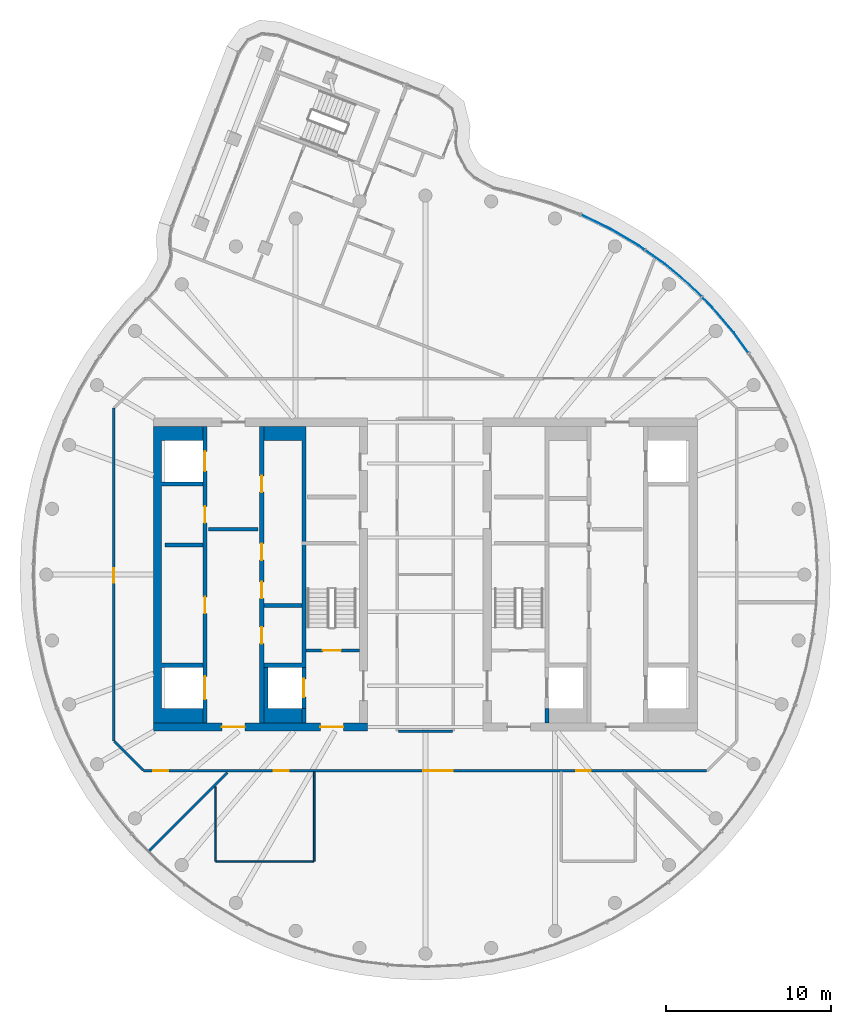
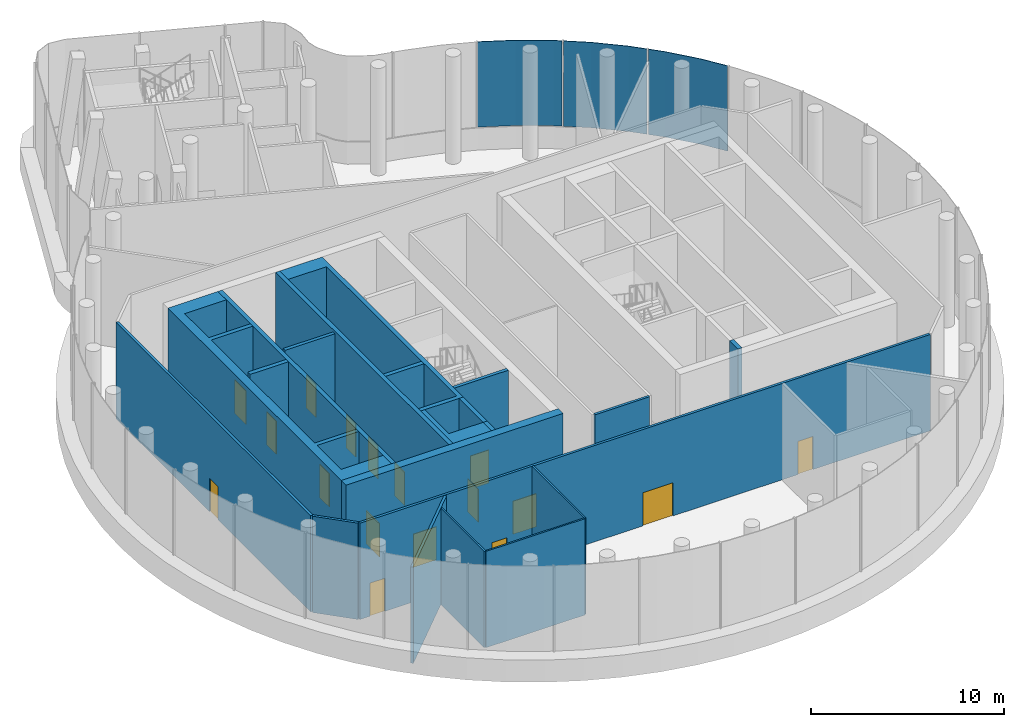
# One storey, part 8 of 12: 21 walls, 17 doors, 3 plates, 17 openings, 1 element without a shape of its own.
"""IFC4 building model written with IfcOpenShell, lengths in metres."""

from ifc_helpers import new_model, si_unit, direction, frame, frame_2d, origin, place, context, subcontext, project, spatial, polyline, rectangle, outline, extrude, material, layer, layer_set, type_object, element, fill, aggregate, save


model = new_model("IFC4")

# Units and contexts
model_context = context("Model", 3, precision=1e-05, world=origin(), true_north=direction((0.0, 1.0)))
body_context = subcontext(model_context, "Body", "Model", "MODEL_VIEW")
ifc_project = project(units=[si_unit("LENGTHUNIT", "METRE"), si_unit("AREAUNIT", "SQUARE_METRE"), si_unit("VOLUMEUNIT", "CUBIC_METRE"), si_unit("PLANEANGLEUNIT", "RADIAN"), si_unit("MASSUNIT", "GRAM", prefix="KILO")], contexts=[model_context])

# Site, building, storey
site_placement = place(None, origin())
site = spatial("IfcSite", under=ifc_project, at=site_placement, CompositionType="ELEMENT")
building_placement = place(site_placement, origin())
building = spatial("IfcBuilding", under=site, at=building_placement, Name="Tamarind Cross Interchange Tower", CompositionType="ELEMENT")
storey_placement = place(building_placement, frame((0.0, 0.0, 287.39990234375)))
storey = spatial("IfcBuildingStorey", under=building, at=storey_placement, Name="L72", CompositionType="ELEMENT", Elevation=287.39990234375)

# Curtain wall, plates
ifc_material_1 = material(Name="Aluminium 6063-T6", Category="aluminium")
ifc_layer_1 = layer(ifc_material_1, 0.219970703125)
ifc_layer_set_1 = layer_set([ifc_layer_1], Name="Aluminium 6063-T6")
curtain_wall_type = type_object("IfcCurtainWallType", Name="Observation deck curtain wall", PredefinedType="NOTDEFINED", material=ifc_layer_set_1)
curtain_wall_placement = place(storey_placement, origin())
curtain_wall = element("IfcCurtainWall", 1, at=curtain_wall_placement, inside=storey, type_object=curtain_wall_type, Name="CWS-L72-02", PredefinedType="NOTDEFINED")
ifc_material_2 = material(Name="Laminated low-e glass 10+1.52+10", Category="glass")
ifc_layer_2 = layer(ifc_material_2, 0.0400390625)
ifc_layer_set_2 = layer_set([ifc_layer_2], Name="Laminated low-e glass 10+1.52+10")
plate_type = type_object("IfcPlateType", Name="Vision panel CW5", PredefinedType="CURTAIN_PANEL", material=ifc_layer_set_2)
plate_1_placement = place(storey_placement, frame((0.0, 0.0, 1.400146484375)))
plate_1 = element("IfcPlate", 2, at=plate_1_placement, type_object=plate_type, Name="CWP-L72-02-25", PredefinedType="CURTAIN_PANEL", context=body_context, shape_type="SweptSolid", body=[
    extrude(outline(polyline([(19.588623046875, 13.449951171875), (18.699462890625, 14.68408203125), (17.4228515625, 16.177978515625), (16.785400390625, 16.81005859375), (16.8134765625, 16.83837890625), (17.452392578125, 16.205322265625), (18.73095703125, 14.708740234375), (19.62109375, 13.473388671875), (19.588623046875, 13.449951171875)])), origin(), (0.0, 0.0, 1.0), 5.39990234375),
])
plate_2_placement = place(storey_placement, frame((0.0, 0.0, 1.400146484375)))
plate_2 = element("IfcPlate", 3, at=plate_2_placement, type_object=plate_type, Name="CWP-L72-02-26", PredefinedType="CURTAIN_PANEL", context=body_context, shape_type="SweptSolid", body=[
    extrude(outline(polyline([(16.728515625, 16.866455078125), (16.02734375, 17.5615234375), (14.5224609375, 18.8251953125), (13.353759765625, 19.65185546875), (13.376953125, 19.6845703125), (14.546875, 18.856689453125), (16.054443359375, 17.591064453125), (16.7568359375, 16.894775390625), (16.728515625, 16.866455078125)])), origin(), (0.0, 0.0, 1.0), 5.39990234375),
])
plate_3_placement = place(storey_placement, frame((0.0, 0.0, 1.400146484375)))
plate_3 = element("IfcPlate", 4, at=plate_3_placement, type_object=plate_type, Name="CWP-L72-02-27", PredefinedType="CURTAIN_PANEL", context=body_context, shape_type="SweptSolid", body=[
    extrude(outline(polyline([(13.28857421875, 19.697998046875), (12.918212890625, 19.9599609375), (11.225830078125, 20.958740234375), (9.45703125, 21.81396484375), (9.474609375, 21.849853515625), (11.244873046875, 20.993896484375), (12.940185546875, 19.99365234375), (13.311767578125, 19.730712890625), (13.28857421875, 19.697998046875)])), origin(), (0.0, 0.0, 1.0), 5.39990234375),
])
aggregate(curtain_wall, [plate_1, plate_2, plate_3])

# Wall, openings, doors
ifc_material_3 = material(Name="Concrete C50", Category="concrete")
ifc_layer_3 = layer(ifc_material_3, 0.5)
ifc_layer_set_3 = layer_set([ifc_layer_3], Name="Concrete C50")
wall_type_1 = type_object("IfcWallType", Name="Core wall 500 mm Concrete C50", PredefinedType="SHEAR", material=ifc_layer_set_3)
wall_1_placement = place(storey_placement, frame((-16.5, -9.25, 0.0), z_axis=(0.0, 0.0, 1.0), x_axis=(1.0, 0.0, 0.0)))
wall_1 = element("IfcWall", 5, at=wall_1_placement, inside=storey, type_object=wall_type_1, Name="Core wall CWL-L72-W-S", PredefinedType="SHEAR", context=body_context, shape_type="SweptSolid", body=[
    extrude(rectangle(XDim=13.0, YDim=0.5, at=frame_2d((6.5, 0.0))), origin(), (0.0, 0.0, 1.0), 6.800048828125),
])
opening_1_placement = place(wall_1_placement, frame((4.14990234375, 0.0, 0.0)))
opening_1 = element("IfcOpeningElement", 6, at=opening_1_placement, cuts=wall_1, Name="Opening DCW1", PredefinedType="OPENING", context=body_context, shape_type="SweptSolid", body=[
    extrude(rectangle(XDim=1.39990234375, YDim=2.10009765625, at=frame_2d((0.699951171875, 1.050048828125))), frame((0.0, 0.260009765625, 0.0), z_axis=(0.0, -1.0, 0.0), x_axis=(1.0, 0.0, 0.0)), (0.0, 0.0, 1.0), 0.52001953125),
])
opening_2_placement = place(wall_1_placement, frame((10.125, 0.0, 0.0)))
opening_2 = element("IfcOpeningElement", 7, at=opening_2_placement, cuts=wall_1, Name="Opening DCWF", PredefinedType="OPENING", context=body_context, shape_type="SweptSolid", body=[
    extrude(rectangle(XDim=1.39990234375, YDim=2.10009765625, at=frame_2d((0.699951171875, 1.050048828125))), frame((0.0, 0.260009765625, 0.0), z_axis=(0.0, -1.0, 0.0), x_axis=(1.0, 0.0, 0.0)), (0.0, 0.0, 1.0), 0.52001953125),
])
ifc_material_4 = material(Name="Steel, fire-resisting", Category="steel")
door_type_1 = type_object("IfcDoorType", Name="Core fire door 1400 x 2100 FD90", OperationType="SINGLE_SWING_LEFT", PredefinedType="DOOR", material=ifc_material_4)
door_1_placement = place(opening_1_placement, origin())
door_1 = element("IfcDoor", 8, at=door_1_placement, inside=storey, type_object=door_type_1, Name="L72 lift lobby door", OperationType="SINGLE_SWING_LEFT", OverallHeight=2.10009765625, OverallWidth=1.39990234375, PredefinedType="DOOR", context=body_context, shape_type="SweptSolid", body=[
    extrude(rectangle(XDim=1.39990234375, YDim=2.10009765625, at=frame_2d((0.699951171875, 1.050048828125))), frame((0.0, 0.02490234375, 0.0), z_axis=(0.0, -1.0, 0.0), x_axis=(1.0, 0.0, 0.0)), (0.0, 0.0, 1.0), 0.050048828125),
])
fill(opening_1, door_1)
door_2_placement = place(opening_2_placement, origin())
door_2 = element("IfcDoor", 9, at=door_2_placement, inside=storey, type_object=door_type_1, Name="L72 firefighting lobby end door", OperationType="SINGLE_SWING_LEFT", OverallHeight=2.10009765625, OverallWidth=1.39990234375, PredefinedType="DOOR", context=body_context, shape_type="SweptSolid", body=[
    extrude(rectangle(XDim=1.39990234375, YDim=2.10009765625, at=frame_2d((0.699951171875, 1.050048828125))), frame((0.0, 0.02490234375, 0.0), z_axis=(0.0, -1.0, 0.0), x_axis=(1.0, 0.0, 0.0)), (0.0, 0.0, 1.0), 0.050048828125),
])
fill(opening_2, door_2)

# Walls
wall_2_placement = place(storey_placement, origin())
element("IfcWall", 10, at=wall_2_placement, inside=storey, type_object=wall_type_1, Name="Core wall CWL-L72-W-A", PredefinedType="SHEAR", context=body_context, shape_type="SweptSolid", body=[
    extrude(outline(polyline([(-13.5, -8.125), (-16.0, -8.125), (-16.0, -5.625), (-13.5, -5.625), (-13.5, -5.375), (-16.0, -5.375), (-16.0, 5.375), (-13.5, 5.375), (-13.5, 5.625), (-16.0, 5.625), (-16.0, 8.125), (-13.5, 8.125), (-13.5, 9.0), (-16.0, 9.0), (-16.5, 9.0), (-16.5, -9.0), (-16.0, -9.0), (-13.5, -9.0), (-13.5, -8.125)])), origin(), (0.0, 0.0, 1.0), 6.800048828125),
])
ifc_layer_4 = layer(ifc_material_3, 0.25)
ifc_layer_set_4 = layer_set([ifc_layer_4], Name="Concrete C50")
wall_type_2 = type_object("IfcWallType", Name="Core web wall 250 mm Concrete C50", PredefinedType="SHEAR", material=ifc_layer_set_4)
wall_3_placement = place(storey_placement, origin())
element("IfcWall", 11, at=wall_3_placement, inside=storey, type_object=wall_type_2, Name="Core wall CWL-L72-W-BN", PredefinedType="SHEAR", context=body_context, shape_type="SweptSolid", body=[
    extrude(outline(polyline([(-9.800048828125, -5.625), (-7.5, -5.625), (-7.25, -5.625), (-7.25, 9.0), (-7.5, 9.0), (-9.800048828125, 9.0), (-9.800048828125, 8.125), (-7.5, 8.125), (-7.5, -5.375), (-9.800048828125, -5.375), (-9.800048828125, -5.625)])), origin(), (0.0, 0.0, 1.0), 6.800048828125),
])
wall_4_placement = place(storey_placement, origin())
element("IfcWall", 12, at=wall_4_placement, inside=storey, type_object=wall_type_2, Name="Core wall CWL-L72-W-BS", PredefinedType="SHEAR", context=body_context, shape_type="SweptSolid", body=[
    extrude(outline(polyline([(-7.5, -8.125), (-9.550048828125, -8.125), (-9.550048828125, -5.625), (-9.800048828125, -5.625), (-9.800048828125, -8.125), (-9.800048828125, -9.0), (-7.5, -9.0), (-7.5, -8.125)])), origin(), (0.0, 0.0, 1.0), 6.800048828125),
])
wall_5_placement = place(storey_placement, frame((-7.375, -9.0, 0.0), z_axis=(0.0, 0.0, 1.0), x_axis=(0.0, 1.0, 0.0)))
element("IfcWall", 13, at=wall_5_placement, inside=storey, type_object=wall_type_2, Name="Core wall CWL-L72-W-BW", PredefinedType="SHEAR", context=body_context, shape_type="SweptSolid", body=[
    extrude(rectangle(XDim=0.875, YDim=0.25, at=frame_2d((0.4375, 0.0))), origin(), (0.0, 0.0, 1.0), 6.800048828125),
])

# Wall, openings, doors
wall_6_placement = place(storey_placement, frame((-13.375, -9.0, 0.0), z_axis=(0.0, 0.0, 1.0), x_axis=(0.0, 1.0, 0.0)))
wall_6 = element("IfcWall", 14, at=wall_6_placement, inside=storey, type_object=wall_type_2, Name="Core wall CWL-L72-W-LA", PredefinedType="SHEAR", context=body_context, shape_type="SweptSolid", body=[
    extrude(rectangle(XDim=18.0, YDim=0.25, at=frame_2d((9.0, 0.0))), origin(), (0.0, 0.0, 1.0), 6.800048828125),
])
opening_3_placement = place(wall_6_placement, frame((1.425048828125, 0.0, 0.0)))
opening_3 = element("IfcOpeningElement", 15, at=opening_3_placement, cuts=wall_6, Name="Opening LD1L72", PredefinedType="OPENING", context=body_context, shape_type="SweptSolid", body=[
    extrude(rectangle(XDim=1.39990234375, YDim=2.10009765625, at=frame_2d((0.699951171875, 1.050048828125))), frame((0.0, 0.135009765625, 0.0), z_axis=(0.0, -1.0, 0.0), x_axis=(1.0, 0.0, 0.0)), (0.0, 0.0, 1.0), 0.27001953125),
])
opening_4_placement = place(wall_6_placement, frame((15.27490234375, 0.0, 0.0)))
opening_4 = element("IfcOpeningElement", 16, at=opening_4_placement, cuts=wall_6, Name="Opening LD6L72", PredefinedType="OPENING", context=body_context, shape_type="SweptSolid", body=[
    extrude(rectangle(XDim=1.199951171875, YDim=2.10009765625, at=frame_2d((0.60009765625, 1.050048828125))), frame((0.0, 0.135009765625, 0.0), z_axis=(0.0, -1.0, 0.0), x_axis=(1.0, 0.0, 0.0)), (0.0, 0.0, 1.0), 0.27001953125),
])
opening_5_placement = place(wall_6_placement, frame((6.64599609375, 0.0, 0.0)))
opening_5 = element("IfcOpeningElement", 17, at=opening_5_placement, cuts=wall_6, Name="Opening DCW9", PredefinedType="OPENING", context=body_context, shape_type="SweptSolid", body=[
    extrude(rectangle(XDim=1.0, YDim=2.10009765625, at=frame_2d((0.5, 1.050048828125))), frame((0.0, 0.135009765625, 0.0), z_axis=(0.0, -1.0, 0.0), x_axis=(1.0, 0.0, 0.0)), (0.0, 0.0, 1.0), 0.27001953125),
])
opening_6_placement = place(wall_6_placement, frame((12.14599609375, 0.0, 0.0)))
opening_6 = element("IfcOpeningElement", 18, at=opening_6_placement, cuts=wall_6, Name="Opening DCW10", PredefinedType="OPENING", context=body_context, shape_type="SweptSolid", body=[
    extrude(rectangle(XDim=1.0, YDim=2.10009765625, at=frame_2d((0.5, 1.050048828125))), frame((0.0, 0.135009765625, 0.0), z_axis=(0.0, -1.0, 0.0), x_axis=(1.0, 0.0, 0.0)), (0.0, 0.0, 1.0), 0.27001953125),
])
door_type_2 = type_object("IfcDoorType", Name="Core fire door 1000 x 2100 FD90", OperationType="SINGLE_SWING_LEFT", PredefinedType="DOOR", material=ifc_material_4)
door_3_placement = place(opening_5_placement, origin())
door_3 = element("IfcDoor", 19, at=door_3_placement, inside=storey, type_object=door_type_2, Name="L72 Cleaner's store door", OperationType="SINGLE_SWING_LEFT", OverallHeight=2.10009765625, OverallWidth=1.0, PredefinedType="DOOR", context=body_context, shape_type="SweptSolid", body=[
    extrude(rectangle(XDim=1.0, YDim=2.10009765625, at=frame_2d((0.5, 1.050048828125))), frame((0.0, 0.02490234375, 0.0), z_axis=(0.0, -1.0, 0.0), x_axis=(1.0, 0.0, 0.0)), (0.0, 0.0, 1.0), 0.050048828125),
])
fill(opening_5, door_3)
door_4_placement = place(opening_6_placement, origin())
door_4 = element("IfcDoor", 20, at=door_4_placement, inside=storey, type_object=door_type_2, Name="L72 Guide's room door", OperationType="SINGLE_SWING_LEFT", OverallHeight=2.10009765625, OverallWidth=1.0, PredefinedType="DOOR", context=body_context, shape_type="SweptSolid", body=[
    extrude(rectangle(XDim=1.0, YDim=2.10009765625, at=frame_2d((0.5, 1.050048828125))), frame((0.0, 0.02490234375, 0.0), z_axis=(0.0, -1.0, 0.0), x_axis=(1.0, 0.0, 0.0)), (0.0, 0.0, 1.0), 0.050048828125),
])
fill(opening_6, door_4)
ifc_material_5 = material(Name="Stainless steel panel", Category="steel")
door_type_3 = type_object("IfcDoorType", Name="Lift landing door 1200 x 2100 E 120", OperationType="SLIDING_TO_LEFT", PredefinedType="DOOR", material=ifc_material_5)
door_5_placement = place(opening_4_placement, origin())
door_5 = element("IfcDoor", 21, at=door_5_placement, inside=storey, type_object=door_type_3, Name="L72 landing door LF6", OperationType="SLIDING_TO_LEFT", OverallHeight=2.10009765625, OverallWidth=1.199951171875, PredefinedType="DOOR", context=body_context, shape_type="SweptSolid", body=[
    extrude(rectangle(XDim=1.199951171875, YDim=2.10009765625, at=frame_2d((0.60009765625, 1.050048828125))), frame((0.0, 0.02490234375, 0.0), z_axis=(0.0, -1.0, 0.0), x_axis=(1.0, 0.0, 0.0)), (0.0, 0.0, 1.0), 0.050048828125),
])
fill(opening_4, door_5)
door_type_4 = type_object("IfcDoorType", Name="Lift landing door 1400 x 2100 E 120", OperationType="SLIDING_TO_LEFT", PredefinedType="DOOR", material=ifc_material_5)
door_6_placement = place(opening_3_placement, origin())
door_6 = element("IfcDoor", 22, at=door_6_placement, inside=storey, type_object=door_type_4, Name="L72 landing door LF1", OperationType="SLIDING_TO_LEFT", OverallHeight=2.10009765625, OverallWidth=1.39990234375, PredefinedType="DOOR", context=body_context, shape_type="SweptSolid", body=[
    extrude(rectangle(XDim=1.39990234375, YDim=2.10009765625, at=frame_2d((0.699951171875, 1.050048828125))), frame((0.0, 0.02490234375, 0.0), z_axis=(0.0, -1.0, 0.0), x_axis=(1.0, 0.0, 0.0)), (0.0, 0.0, 1.0), 0.050048828125),
])
fill(opening_3, door_6)

wall_7_placement = place(storey_placement, frame((-9.925048828125, -9.0, 0.0), z_axis=(0.0, 0.0, 1.0), x_axis=(0.0, 1.0, 0.0)))
wall_7 = element("IfcWall", 23, at=wall_7_placement, inside=storey, type_object=wall_type_2, Name="Core wall CWL-L72-W-LB", PredefinedType="SHEAR", context=body_context, shape_type="SweptSolid", body=[
    extrude(rectangle(XDim=18.0, YDim=0.25, at=frame_2d((9.0, 0.0))), origin(), (0.0, 0.0, 1.0), 6.800048828125),
])
opening_7_placement = place(wall_7_placement, frame((4.8125, 0.0, 0.0)))
opening_7 = element("IfcOpeningElement", 24, at=opening_7_placement, cuts=wall_7, Name="Opening DCW21", PredefinedType="OPENING", context=body_context, shape_type="SweptSolid", body=[
    extrude(rectangle(XDim=1.0, YDim=2.10009765625, at=frame_2d((0.5, 1.050048828125))), frame((0.0, 0.135009765625, 0.0), z_axis=(0.0, -1.0, 0.0), x_axis=(1.0, 0.0, 0.0)), (0.0, 0.0, 1.0), 0.27001953125),
])
opening_8_placement = place(wall_7_placement, frame((7.5625, 0.0, 0.0)))
opening_8 = element("IfcOpeningElement", 25, at=opening_8_placement, cuts=wall_7, Name="Opening DCW22", PredefinedType="OPENING", context=body_context, shape_type="SweptSolid", body=[
    extrude(rectangle(XDim=1.0, YDim=2.10009765625, at=frame_2d((0.5, 1.050048828125))), frame((0.0, 0.135009765625, 0.0), z_axis=(0.0, -1.0, 0.0), x_axis=(1.0, 0.0, 0.0)), (0.0, 0.0, 1.0), 0.27001953125),
])
opening_9_placement = place(wall_7_placement, frame((9.875, 0.0, 0.0)))
opening_9 = element("IfcOpeningElement", 26, at=opening_9_placement, cuts=wall_7, Name="Opening DCW21", PredefinedType="OPENING", context=body_context, shape_type="SweptSolid", body=[
    extrude(rectangle(XDim=1.0, YDim=2.10009765625, at=frame_2d((0.5, 1.050048828125))), frame((0.0, 0.135009765625, 0.0), z_axis=(0.0, -1.0, 0.0), x_axis=(1.0, 0.0, 0.0)), (0.0, 0.0, 1.0), 0.27001953125),
])
opening_10_placement = place(wall_7_placement, frame((14.0, 0.0, 0.0)))
opening_10 = element("IfcOpeningElement", 27, at=opening_10_placement, cuts=wall_7, Name="Opening DCW21", PredefinedType="OPENING", context=body_context, shape_type="SweptSolid", body=[
    extrude(rectangle(XDim=1.0, YDim=2.10009765625, at=frame_2d((0.5, 1.050048828125))), frame((0.0, 0.135009765625, 0.0), z_axis=(0.0, -1.0, 0.0), x_axis=(1.0, 0.0, 0.0)), (0.0, 0.0, 1.0), 0.27001953125),
])
door_7_placement = place(opening_7_placement, origin())
door_7 = element("IfcDoor", 28, at=door_7_placement, inside=storey, type_object=door_type_2, Name="L72 Catering store door", OperationType="SINGLE_SWING_LEFT", OverallHeight=2.10009765625, OverallWidth=1.0, PredefinedType="DOOR", context=body_context, shape_type="SweptSolid", body=[
    extrude(rectangle(XDim=1.0, YDim=2.10009765625, at=frame_2d((0.5, 1.050048828125))), frame((0.0, 0.02490234375, 0.0), z_axis=(0.0, -1.0, 0.0), x_axis=(1.0, 0.0, 0.0)), (0.0, 0.0, 1.0), 0.050048828125),
])
fill(opening_7, door_7)
door_8_placement = place(opening_8_placement, origin())
door_8 = element("IfcDoor", 29, at=door_8_placement, inside=storey, type_object=door_type_2, Name="L72 Cleaner's store door", OperationType="SINGLE_SWING_LEFT", OverallHeight=2.10009765625, OverallWidth=1.0, PredefinedType="DOOR", context=body_context, shape_type="SweptSolid", body=[
    extrude(rectangle(XDim=1.0, YDim=2.10009765625, at=frame_2d((0.5, 1.050048828125))), frame((0.0, 0.02490234375, 0.0), z_axis=(0.0, -1.0, 0.0), x_axis=(1.0, 0.0, 0.0)), (0.0, 0.0, 1.0), 0.050048828125),
])
fill(opening_8, door_8)
door_9_placement = place(opening_9_placement, origin())
door_9 = element("IfcDoor", 30, at=door_9_placement, inside=storey, type_object=door_type_2, Name="L72 Guide's room door", OperationType="SINGLE_SWING_LEFT", OverallHeight=2.10009765625, OverallWidth=1.0, PredefinedType="DOOR", context=body_context, shape_type="SweptSolid", body=[
    extrude(rectangle(XDim=1.0, YDim=2.10009765625, at=frame_2d((0.5, 1.050048828125))), frame((0.0, 0.02490234375, 0.0), z_axis=(0.0, -1.0, 0.0), x_axis=(1.0, 0.0, 0.0)), (0.0, 0.0, 1.0), 0.050048828125),
])
fill(opening_9, door_9)
door_10_placement = place(opening_10_placement, origin())
door_10 = element("IfcDoor", 31, at=door_10_placement, inside=storey, type_object=door_type_2, Name="L72 First aid room door", OperationType="SINGLE_SWING_LEFT", OverallHeight=2.10009765625, OverallWidth=1.0, PredefinedType="DOOR", context=body_context, shape_type="SweptSolid", body=[
    extrude(rectangle(XDim=1.0, YDim=2.10009765625, at=frame_2d((0.5, 1.050048828125))), frame((0.0, 0.02490234375, 0.0), z_axis=(0.0, -1.0, 0.0), x_axis=(1.0, 0.0, 0.0)), (0.0, 0.0, 1.0), 0.050048828125),
])
fill(opening_10, door_10)

# Wall, opening, door
wall_8_placement = place(storey_placement, frame((-7.375, -8.125, 0.0), z_axis=(0.0, 0.0, 1.0), x_axis=(0.0, 1.0, 0.0)))
wall_8 = element("IfcWall", 32, at=wall_8_placement, inside=storey, type_object=wall_type_2, Name="Core wall CWL-L72-W-FF", PredefinedType="SHEAR", context=body_context, shape_type="SweptSolid", body=[
    extrude(rectangle(XDim=2.5, YDim=0.25, at=frame_2d((1.25, 0.0))), origin(), (0.0, 0.0, 1.0), 6.800048828125),
])
opening_11_placement = place(wall_8_placement, frame((0.699951171875, 0.0, 0.0)))
opening_11 = element("IfcOpeningElement", 33, at=opening_11_placement, cuts=wall_8, Name="Opening LD7L72", PredefinedType="OPENING", context=body_context, shape_type="SweptSolid", body=[
    extrude(rectangle(XDim=1.10009765625, YDim=2.10009765625, at=frame_2d((0.550048828125, 1.050048828125))), frame((0.0, 0.135009765625, 0.0), z_axis=(0.0, -1.0, 0.0), x_axis=(1.0, 0.0, 0.0)), (0.0, 0.0, 1.0), 0.27001953125),
])
door_type_5 = type_object("IfcDoorType", Name="Lift landing door 1100 x 2100 E 120", OperationType="SLIDING_TO_LEFT", PredefinedType="DOOR", material=ifc_material_5)
door_11_placement = place(opening_11_placement, origin())
door_11 = element("IfcDoor", 34, at=door_11_placement, inside=storey, type_object=door_type_5, Name="L72 landing door LF7", OperationType="SLIDING_TO_LEFT", OverallHeight=2.10009765625, OverallWidth=1.10009765625, PredefinedType="DOOR", context=body_context, shape_type="SweptSolid", body=[
    extrude(rectangle(XDim=1.10009765625, YDim=2.10009765625, at=frame_2d((0.550048828125, 1.050048828125))), frame((0.0, 0.02490234375, 0.0), z_axis=(0.0, -1.0, 0.0), x_axis=(1.0, 0.0, 0.0)), (0.0, 0.0, 1.0), 0.050048828125),
])
fill(opening_11, door_11)

# Walls
wall_9_placement = place(storey_placement, frame((7.375, -9.0, 0.0), z_axis=(0.0, 0.0, 1.0), x_axis=(0.0, 1.0, 0.0)))
element("IfcWall", 35, at=wall_9_placement, inside=storey, type_object=wall_type_2, Name="Core wall CWL-L72-E-BW", PredefinedType="SHEAR", context=body_context, shape_type="SweptSolid", body=[
    extrude(rectangle(XDim=0.875, YDim=0.25, at=frame_2d((0.4375, 0.0))), origin(), (0.0, 0.0, 1.0), 6.800048828125),
])
ifc_material_6 = material(Name="Gypsum board partition on steel studs", Category="steel")
ifc_layer_5 = layer(ifc_material_6, 0.10009765625)
ifc_layer_set_5 = layer_set([ifc_layer_5], Name="Gypsum board partition on steel studs")
wall_type_3 = type_object("IfcWallType", Name="Partition 100 mm EI 90", PredefinedType="PARTITIONING", material=ifc_layer_set_5)
wall_10_placement = place(storey_placement, frame((-12.7060546875, -17.39990234375, 0.0), z_axis=(0.0, 0.0, 1.0), x_axis=(1.0, 0.0, 0.0)))
element("IfcWall", 36, at=wall_10_placement, inside=storey, type_object=wall_type_3, Name="Partition L72-014", PredefinedType="PARTITIONING", context=body_context, shape_type="SweptSolid", body=[
    extrude(rectangle(XDim=5.93505859375, YDim=0.10009765625, at=frame_2d((2.967529296875, 0.0))), origin(), (0.0, 0.0, 1.0), 6.10009765625),
])
wall_11_placement = place(storey_placement, frame((-12.740966796875, -17.39990234375, 0.0), z_axis=(0.0, 0.0, 1.0), x_axis=(0.0, 1.0, 0.0)))
element("IfcWall", 37, at=wall_11_placement, inside=storey, type_object=wall_type_3, Name="Partition L72-038", PredefinedType="PARTITIONING", context=body_context, shape_type="SweptSolid", body=[
    extrude(rectangle(XDim=4.518798828125, YDim=0.10009765625, at=frame_2d((2.25927734375, 0.0))), origin(), (0.0, 0.0, 1.0), 6.10009765625),
])
wall_12_placement = place(storey_placement, frame((-6.740966796875, -17.39990234375, 0.0), z_axis=(0.0, 0.0, 1.0), x_axis=(0.0, 1.0, 0.0)))
element("IfcWall", 38, at=wall_12_placement, inside=storey, type_object=wall_type_3, Name="Partition L72-039", PredefinedType="PARTITIONING", context=body_context, shape_type="SweptSolid", body=[
    extrude(rectangle(XDim=5.44482421875, YDim=0.10009765625, at=frame_2d((2.722412109375, 0.0))), origin(), (0.0, 0.0, 1.0), 6.10009765625),
])
ifc_layer_6 = layer(ifc_material_6, 0.14990234375)
ifc_layer_set_6 = layer_set([ifc_layer_6], Name="Gypsum board partition on steel studs")
wall_type_4 = type_object("IfcWallType", Name="Partition 150 mm EI 120", PredefinedType="PARTITIONING", material=ifc_layer_set_6)
wall_13_placement = place(storey_placement, frame((-18.87158203125, -10.12841796875, 0.0), z_axis=(0.0, 0.0, 1.0), x_axis=(0.707106781187, -0.707106781187, 0.0)))
element("IfcWall", 39, at=wall_13_placement, inside=storey, type_object=wall_type_4, Name="Partition L72-001", PredefinedType="PARTITIONING", context=body_context, shape_type="SweptSolid", body=[
    extrude(rectangle(XDim=2.465087890625, YDim=0.14990234375, at=frame_2d((1.232421875, 0.0))), origin(), (0.0, 0.0, 1.0), 6.10009765625),
])

# Wall, openings, doors
wall_14_placement = place(storey_placement, frame((-17.10009765625, -11.89990234375, 0.0), z_axis=(0.0, 0.0, 1.0), x_axis=(1.0, 0.0, 0.0)))
wall_14 = element("IfcWall", 40, at=wall_14_placement, inside=storey, type_object=wall_type_4, Name="Partition L72-012", PredefinedType="PARTITIONING", context=body_context, shape_type="SweptSolid", body=[
    extrude(rectangle(XDim=34.1650390625, YDim=0.14990234375, at=frame_2d((17.08251953125, 0.0))), origin(), (0.0, 0.0, 1.0), 6.10009765625),
])
opening_12_placement = place(wall_14_placement, frame((7.89990234375, 0.0, 0.0)))
opening_12 = element("IfcOpeningElement", 41, at=opening_12_placement, cuts=wall_14, Name="Opening D04", PredefinedType="OPENING", context=body_context, shape_type="SweptSolid", body=[
    extrude(rectangle(XDim=0.89990234375, YDim=2.10009765625, at=frame_2d((0.449951171875, 1.050048828125))), frame((0.0, 0.0849609375, 0.0), z_axis=(0.0, -1.0, 0.0), x_axis=(1.0, 0.0, 0.0)), (0.0, 0.0, 1.0), 0.169921875),
])
opening_13_placement = place(wall_14_placement, frame((26.240966796875, 0.0, 0.0)))
opening_13 = element("IfcOpeningElement", 42, at=opening_13_placement, cuts=wall_14, Name="Opening D05", PredefinedType="OPENING", context=body_context, shape_type="SweptSolid", body=[
    extrude(rectangle(XDim=0.89990234375, YDim=2.10009765625, at=frame_2d((0.449951171875, 1.050048828125))), frame((0.0, 0.0849609375, 0.0), z_axis=(0.0, -1.0, 0.0), x_axis=(1.0, 0.0, 0.0)), (0.0, 0.0, 1.0), 0.169921875),
])
opening_14_placement = place(wall_14_placement, frame((16.958984375, 0.0, 0.0)))
opening_14 = element("IfcOpeningElement", 43, at=opening_14_placement, cuts=wall_14, Name="Opening D06", PredefinedType="OPENING", context=body_context, shape_type="SweptSolid", body=[
    extrude(rectangle(XDim=1.800048828125, YDim=2.10009765625, at=frame_2d((0.89990234375, 1.050048828125))), frame((0.0, 0.0849609375, 0.0), z_axis=(0.0, -1.0, 0.0), x_axis=(1.0, 0.0, 0.0)), (0.0, 0.0, 1.0), 0.169921875),
])
opening_15_placement = place(wall_14_placement, frame((0.60009765625, 0.0, 0.0)))
opening_15 = element("IfcOpeningElement", 44, at=opening_15_placement, cuts=wall_14, Name="Opening D07", PredefinedType="OPENING", context=body_context, shape_type="SweptSolid", body=[
    extrude(rectangle(XDim=0.89990234375, YDim=2.10009765625, at=frame_2d((0.449951171875, 1.050048828125))), frame((0.0, 0.0849609375, 0.0), z_axis=(0.0, -1.0, 0.0), x_axis=(1.0, 0.0, 0.0)), (0.0, 0.0, 1.0), 0.169921875),
])
ifc_material_7 = material(Name="Fire-resisting door set")
door_type_6 = type_object("IfcDoorType", Name="Interior door 1800 x 2100 FD60S", OperationType="DOUBLE_DOOR_SINGLE_SWING", PredefinedType="DOOR", material=ifc_material_7)
door_12_placement = place(opening_14_placement, origin())
door_12 = element("IfcDoor", 45, at=door_12_placement, inside=storey, type_object=door_type_6, Name="Door D06", OperationType="DOUBLE_DOOR_SINGLE_SWING", OverallHeight=2.10009765625, OverallWidth=1.800048828125, PredefinedType="DOOR", context=body_context, shape_type="SweptSolid", body=[
    extrude(rectangle(XDim=1.800048828125, YDim=2.10009765625, at=frame_2d((0.89990234375, 1.050048828125))), frame((0.0, 0.02490234375, 0.0), z_axis=(0.0, -1.0, 0.0), x_axis=(1.0, 0.0, 0.0)), (0.0, 0.0, 1.0), 0.050048828125),
])
fill(opening_14, door_12)
door_type_7 = type_object("IfcDoorType", Name="Interior door 900 x 2100 FD60S", OperationType="SINGLE_SWING_LEFT", PredefinedType="DOOR", material=ifc_material_7)
door_13_placement = place(opening_12_placement, frame((0.89990234375, 0.0, 0.0), z_axis=(0.0, 0.0, 1.0), x_axis=(-1.0, 0.0, 0.0)))
door_13 = element("IfcDoor", 46, at=door_13_placement, inside=storey, type_object=door_type_7, Name="Door D04", OperationType="SINGLE_SWING_LEFT", OverallHeight=2.10009765625, OverallWidth=0.89990234375, PredefinedType="DOOR", context=body_context, shape_type="SweptSolid", body=[
    extrude(rectangle(XDim=0.89990234375, YDim=2.10009765625, at=frame_2d((0.449951171875, 1.050048828125))), frame((0.0, 0.02490234375, 0.0), z_axis=(0.0, -1.0, 0.0), x_axis=(1.0, 0.0, 0.0)), (0.0, 0.0, 1.0), 0.050048828125),
])
fill(opening_12, door_13)
door_14_placement = place(opening_13_placement, frame((0.89990234375, 0.0, 0.0), z_axis=(0.0, 0.0, 1.0), x_axis=(-1.0, 0.0, 0.0)))
door_14 = element("IfcDoor", 47, at=door_14_placement, inside=storey, type_object=door_type_7, Name="Door D05", OperationType="SINGLE_SWING_RIGHT", OverallHeight=2.10009765625, OverallWidth=0.89990234375, PredefinedType="DOOR", context=body_context, shape_type="SweptSolid", body=[
    extrude(rectangle(XDim=0.89990234375, YDim=2.10009765625, at=frame_2d((0.449951171875, 1.050048828125))), frame((0.0, 0.02490234375, 0.0), z_axis=(0.0, -1.0, 0.0), x_axis=(1.0, 0.0, 0.0)), (0.0, 0.0, 1.0), 0.050048828125),
])
fill(opening_13, door_14)
door_15_placement = place(opening_15_placement, frame((0.89990234375, 0.0, 0.0), z_axis=(0.0, 0.0, 1.0), x_axis=(-1.0, 0.0, 0.0)))
door_15 = element("IfcDoor", 48, at=door_15_placement, inside=storey, type_object=door_type_7, Name="Door D07", OperationType="SINGLE_SWING_LEFT", OverallHeight=2.10009765625, OverallWidth=0.89990234375, PredefinedType="DOOR", context=body_context, shape_type="SweptSolid", body=[
    extrude(rectangle(XDim=0.89990234375, YDim=2.10009765625, at=frame_2d((0.449951171875, 1.050048828125))), frame((0.0, 0.02490234375, 0.0), z_axis=(0.0, -1.0, 0.0), x_axis=(1.0, 0.0, 0.0)), (0.0, 0.0, 1.0), 0.050048828125),
])
fill(opening_15, door_15)

# Walls
wall_15_placement = place(storey_placement, frame((-1.639892578125, -9.5, 0.0), z_axis=(0.0, 0.0, 1.0), x_axis=(1.0, 0.0, 0.0)))
element("IfcWall", 49, at=wall_15_placement, inside=storey, type_object=wall_type_4, Name="Partition L72-016", PredefinedType="PARTITIONING", context=body_context, shape_type="SweptSolid", body=[
    extrude(rectangle(XDim=3.27978515625, YDim=0.14990234375, at=frame_2d((1.639892578125, 0.0))), origin(), (0.0, 0.0, 1.0), 6.10009765625),
])
wall_16_placement = place(storey_placement, frame((-16.740478515625, -16.740478515625, 0.0), z_axis=(0.0, 0.0, 1.0), x_axis=(0.707106781187, 0.707106781187, 0.0)))
element("IfcWall", 50, at=wall_16_placement, inside=storey, type_object=wall_type_4, Name="Partition L72-022", PredefinedType="PARTITIONING", context=body_context, shape_type="SweptSolid", body=[
    extrude(rectangle(XDim=6.690673828125, YDim=0.14990234375, at=frame_2d((3.34521484375, 0.0))), origin(), (0.0, 0.0, 1.0), 6.10009765625),
])

# Wall, opening, door
wall_17_placement = place(storey_placement, frame((-18.89990234375, -10.10009765625, 0.0), z_axis=(0.0, 0.0, 1.0), x_axis=(0.0, 1.0, 0.0)))
wall_17 = element("IfcWall", 51, at=wall_17_placement, inside=storey, type_object=wall_type_4, Name="Partition L72-037", PredefinedType="PARTITIONING", context=body_context, shape_type="SweptSolid", body=[
    extrude(rectangle(XDim=20.2001953125, YDim=0.14990234375, at=frame_2d((10.10009765625, 0.0))), origin(), (0.0, 0.0, 1.0), 6.10009765625),
])
opening_16_placement = place(wall_17_placement, frame((9.60009765625, 0.0, 0.0)))
opening_16 = element("IfcOpeningElement", 52, at=opening_16_placement, cuts=wall_17, Name="Opening D17", PredefinedType="OPENING", context=body_context, shape_type="SweptSolid", body=[
    extrude(rectangle(XDim=0.89990234375, YDim=2.10009765625, at=frame_2d((0.449951171875, 1.050048828125))), frame((0.0, 0.0849609375, 0.0), z_axis=(0.0, -1.0, 0.0), x_axis=(1.0, 0.0, 0.0)), (0.0, 0.0, 1.0), 0.169921875),
])
door_16_placement = place(opening_16_placement, origin())
door_16 = element("IfcDoor", 53, at=door_16_placement, inside=storey, type_object=door_type_7, Name="Door D17", OperationType="SINGLE_SWING_RIGHT", OverallHeight=2.10009765625, OverallWidth=0.89990234375, PredefinedType="DOOR", context=body_context, shape_type="SweptSolid", body=[
    extrude(rectangle(XDim=0.89990234375, YDim=2.10009765625, at=frame_2d((0.449951171875, 1.050048828125))), frame((0.0, 0.02490234375, 0.0), z_axis=(0.0, -1.0, 0.0), x_axis=(1.0, 0.0, 0.0)), (0.0, 0.0, 1.0), 0.050048828125),
])
fill(opening_16, door_16)

# Walls
ifc_material_8 = material(Name="Concrete C40", Category="concrete")
ifc_layer_7 = layer(ifc_material_8, 0.199951171875)
ifc_layer_set_7 = layer_set([ifc_layer_7], Name="Concrete C40")
wall_type_5 = type_object("IfcWallType", Name="Shaft and lobby wall 200 mm Concrete C40", PredefinedType="PARTITIONING", material=ifc_layer_set_7)
wall_18_placement = place(storey_placement, frame((-13.14990234375, 2.75, 0.0), z_axis=(0.0, 0.0, 1.0), x_axis=(1.0, 0.0, 0.0)))
element("IfcWall", 54, at=wall_18_placement, inside=storey, type_object=wall_type_5, Name="Shaft wall CWL-L72-W-OBS", PredefinedType="PARTITIONING", context=body_context, shape_type="SweptSolid", body=[
    extrude(rectangle(XDim=3.0, YDim=0.199951171875, at=frame_2d((1.5, 0.0))), origin(), (0.0, 0.0, 1.0), 6.800048828125),
])
ifc_layer_8 = layer(ifc_material_8, 0.25)
ifc_layer_set_8 = layer_set([ifc_layer_8], Name="Concrete C40")
wall_type_6 = type_object("IfcWallType", Name="Shaft and lobby wall 250 mm Concrete C40", PredefinedType="PARTITIONING", material=ifc_layer_set_8)
for number, where, z_axis, x_axis, name in (
    (55, (-15.800048828125, 1.7919921875, 0.0), (0.0, 0.0, 1.0), (1.0, 0.0, 0.0), "Shaft wall CWL-L72-W-FPA1"),
    (56, (-9.800048828125, -1.875, 0.0), (0.0, 0.0, 1.0), (1.0, 0.0, 0.0), "Shaft wall CWL-L72-W-FPB1"),
):
    element("IfcWall", number, at=place(storey_placement, frame(where, z_axis=z_axis, x_axis=x_axis)), inside=storey, type_object=wall_type_6, Name=name, PredefinedType="PARTITIONING", context=body_context, shape_type="SweptSolid", body=[
        extrude(rectangle(XDim=2.300048828125, YDim=0.25, at=frame_2d((1.14990234375, 0.0))), origin(), (0.0, 0.0, 1.0), 6.800048828125),
    ])

# Wall, opening, door
ifc_layer_9 = layer(ifc_material_8, 0.199951171875)
ifc_layer_set_9 = layer_set([ifc_layer_9], Name="Concrete C40")
wall_type_7 = type_object("IfcWallType", Name="Stair shaft wall 200 mm Concrete C40", PredefinedType="SHEAR", material=ifc_layer_set_9)
wall_19_placement = place(storey_placement, frame((-7.25, -4.60009765625, 0.0), z_axis=(0.0, 0.0, 1.0), x_axis=(1.0, 0.0, 0.0)))
wall_19 = element("IfcWall", 57, at=wall_19_placement, inside=storey, type_object=wall_type_7, Name="Core wall CWL-L72-W-SD", PredefinedType="SHEAR", context=body_context, shape_type="SweptSolid", body=[
    extrude(rectangle(XDim=3.25, YDim=0.199951171875, at=frame_2d((1.625, 0.0))), origin(), (0.0, 0.0, 1.0), 6.800048828125),
])
opening_17_placement = place(wall_19_placement, frame((1.02490234375, 0.0, 0.0)))
opening_17 = element("IfcOpeningElement", 58, at=opening_17_placement, cuts=wall_19, Name="Opening DCW6", PredefinedType="OPENING", context=body_context, shape_type="SweptSolid", body=[
    extrude(rectangle(XDim=1.10009765625, YDim=2.10009765625, at=frame_2d((0.550048828125, 1.050048828125))), frame((0.0, 0.10986328125, 0.0), z_axis=(0.0, -1.0, 0.0), x_axis=(1.0, 0.0, 0.0)), (0.0, 0.0, 1.0), 0.219970703125),
])
door_type_8 = type_object("IfcDoorType", Name="Core fire door 1100 x 2100 FD90", OperationType="SINGLE_SWING_LEFT", PredefinedType="DOOR", material=ifc_material_4)
door_17_placement = place(opening_17_placement, origin())
door_17 = element("IfcDoor", 59, at=door_17_placement, inside=storey, type_object=door_type_8, Name="L72 stair door", OperationType="SINGLE_SWING_LEFT", OverallHeight=2.10009765625, OverallWidth=1.10009765625, PredefinedType="DOOR", context=body_context, shape_type="SweptSolid", body=[
    extrude(rectangle(XDim=1.10009765625, YDim=2.10009765625, at=frame_2d((0.550048828125, 1.050048828125))), frame((0.0, 0.02490234375, 0.0), z_axis=(0.0, -1.0, 0.0), x_axis=(1.0, 0.0, 0.0)), (0.0, 0.0, 1.0), 0.050048828125),
])
fill(opening_17, door_17)

save(model, "model.ifc")
